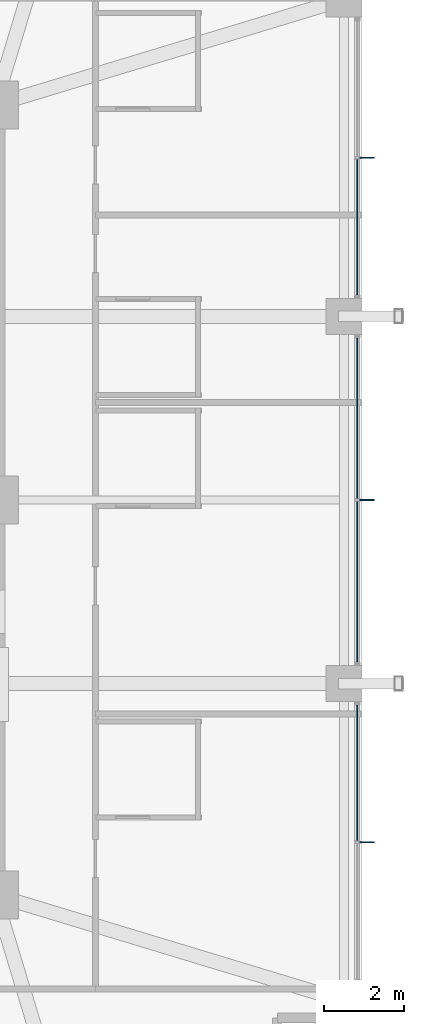
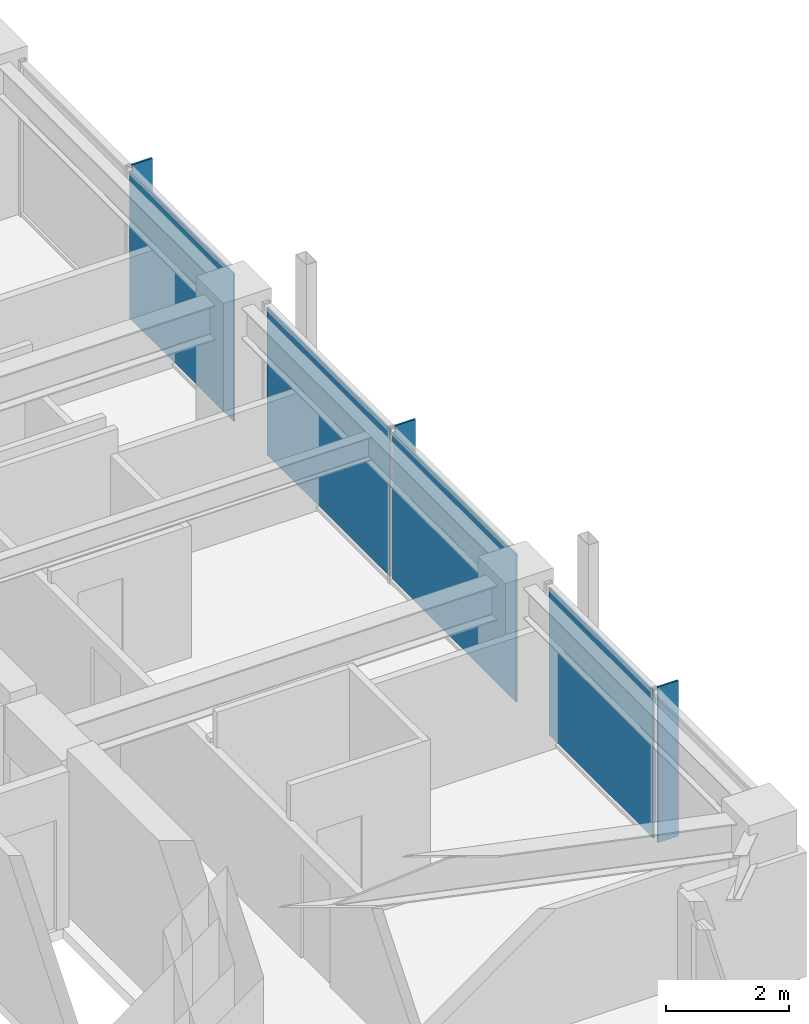
# One storey, part 25 of 34: 7 plates, 3 elements without a shape of their own.
"""IFC4 building model written with IfcOpenShell, lengths in metres."""

from ifc_helpers import new_model, si_unit, direction, frame, origin, origin_2d, place, context, subcontext, project, spatial, rectangle, extrude, material, layer, layer_set, type_object, element, aggregate, save


model = new_model("IFC4")

# Units and contexts
model_context = context("Model", 3, precision=1e-05, world=origin(), true_north=direction((0.0, 1.0)))
body_context = subcontext(model_context, "Body", "Model", "MODEL_VIEW")
ifc_project = project(units=[si_unit("LENGTHUNIT", "METRE"), si_unit("AREAUNIT", "SQUARE_METRE"), si_unit("VOLUMEUNIT", "CUBIC_METRE"), si_unit("PLANEANGLEUNIT", "RADIAN"), si_unit("MASSUNIT", "GRAM", prefix="KILO")], contexts=[model_context])

# Site, building, storey
site_placement = place(None, origin())
site = spatial("IfcSite", under=ifc_project, at=site_placement, CompositionType="ELEMENT")
building_placement = place(site_placement, origin())
building = spatial("IfcBuilding", under=site, at=building_placement, Name="Kolvaren Belvedere", CompositionType="ELEMENT")
storey_placement = place(building_placement, frame((0.0, 0.0, 166.800048828125)))
storey = spatial("IfcBuildingStorey", under=building, at=storey_placement, Name="L48", CompositionType="ELEMENT", Elevation=166.800048828125)

# Curtain wall, plate
ifc_material_1 = material(Name="Anodised pale-metal aluminium AA 6063-T6", Category="aluminium")
curtain_wall_type = type_object("IfcCurtainWallType", Name="CW-Z3-WAIST", PredefinedType="NOTDEFINED", material=ifc_material_1)
curtain_wall_1_placement = place(storey_placement, origin())
curtain_wall_1 = element("IfcCurtainWall", 1, at=curtain_wall_1_placement, inside=storey, type_object=curtain_wall_type, Name="L48 Unitised Curtain Wall FCW-L48-E-B1", PredefinedType="NOTDEFINED")
ifc_material_2 = material(Name="Low-iron triple insulated glass", Category="glass")
ifc_layer_1 = layer(ifc_material_2, 0.028076171875)
ifc_layer_set_1 = layer_set([ifc_layer_1], Name="Low-iron triple insulated glass")
plate_type_1 = type_object("IfcPlateType", Name="CW-PNL-VIS28", PredefinedType="CURTAIN_PANEL", material=ifc_layer_set_1)
plate_1_placement = place(storey_placement, frame((18.97998046875, 6.8388671875, 0.080078125), z_axis=(0.0, 0.0, 1.0), x_axis=(0.0, -1.0, 0.0)))
plate_1 = element("IfcPlate", 2, at=plate_1_placement, type_object=plate_type_1, Name="FCW-L48-E-B1 Vision Glazing Panel 2", PredefinedType="CURTAIN_PANEL", context=body_context, shape_type="SweptSolid", body=[
    extrude(rectangle(XDim=3.392578125, YDim=0.028076171875, at=origin_2d()), origin(), (0.0, 0.0, 1.0), 2.93994140625),
])
aggregate(curtain_wall_1, [plate_1])

# Curtain wall, plates
curtain_wall_2_placement = place(storey_placement, origin())
curtain_wall_2 = element("IfcCurtainWall", 3, at=curtain_wall_2_placement, inside=storey, type_object=curtain_wall_type, Name="L48 Unitised Curtain Wall FCW-L48-E-B2", PredefinedType="NOTDEFINED")
plate_2_placement = place(storey_placement, frame((18.97998046875, 2.048828125, 0.080078125), z_axis=(0.0, 0.0, 1.0), x_axis=(0.0, -1.0, 0.0)))
plate_2 = element("IfcPlate", 4, at=plate_2_placement, type_object=plate_type_1, Name="FCW-L48-E-B2 Vision Glazing Panel 1", PredefinedType="CURTAIN_PANEL", context=body_context, shape_type="SweptSolid", body=[
    extrude(rectangle(XDim=4.017578125, YDim=0.028076171875, at=origin_2d()), origin(), (0.0, 0.0, 1.0), 2.93994140625),
])
plate_3_placement = place(storey_placement, frame((18.97998046875, -2.048828125, 0.080078125), z_axis=(0.0, 0.0, 1.0), x_axis=(0.0, -1.0, 0.0)))
plate_3 = element("IfcPlate", 5, at=plate_3_placement, type_object=plate_type_1, Name="FCW-L48-E-B2 Vision Glazing Panel 2", PredefinedType="CURTAIN_PANEL", context=body_context, shape_type="SweptSolid", body=[
    extrude(rectangle(XDim=4.017578125, YDim=0.028076171875, at=origin_2d()), origin(), (0.0, 0.0, 1.0), 2.93994140625),
])
aggregate(curtain_wall_2, [plate_2, plate_3])

# Curtain wall, plate
curtain_wall_3_placement = place(storey_placement, origin())
curtain_wall_3 = element("IfcCurtainWall", 6, at=curtain_wall_3_placement, inside=storey, type_object=curtain_wall_type, Name="L48 Unitised Curtain Wall FCW-L48-E-B3", PredefinedType="NOTDEFINED")
plate_4_placement = place(storey_placement, frame((18.97998046875, -6.8388671875, 0.080078125), z_axis=(0.0, 0.0, 1.0), x_axis=(0.0, -1.0, 0.0)))
plate_4 = element("IfcPlate", 7, at=plate_4_placement, type_object=plate_type_1, Name="FCW-L48-E-B3 Vision Glazing Panel 1", PredefinedType="CURTAIN_PANEL", context=body_context, shape_type="SweptSolid", body=[
    extrude(rectangle(XDim=3.392578125, YDim=0.028076171875, at=origin_2d()), origin(), (0.0, 0.0, 1.0), 2.93994140625),
])
aggregate(curtain_wall_3, [plate_4])

# Plates
ifc_material_3 = material(Name="Anodised pale-metal aluminium AA 6063-T6", Category="aluminium")
ifc_layer_2 = layer(ifc_material_3, 0.033935546875)
ifc_layer_set_2 = layer_set([ifc_layer_2], Name="Anodised pale-metal aluminium AA 6063-T6")
plate_type_2 = type_object("IfcPlateType", Name="FIN-VERT-380", PredefinedType="USERDEFINED", material=ifc_layer_set_2)
for number, where, z_axis, x_axis, name in (
    (8, (19.219970703125, 8.574951171875, 0.0), (0.0, 0.0, 1.0), (1.0, 0.0, 0.0), "L48 Pale-Metal Vertical Shading Fin FCW-L48-E-B1-1"),
    (9, (19.219970703125, 0.0, 0.0), (0.0, 0.0, 1.0), (1.0, 0.0, 0.0), "L48 Pale-Metal Vertical Shading Fin FCW-L48-E-B2-1"),
    (10, (19.219970703125, -8.574951171875, 0.0), (0.0, 0.0, 1.0), (1.0, 0.0, 0.0), "L48 Pale-Metal Vertical Shading Fin FCW-L48-E-B3-1"),
):
    element("IfcPlate", number, at=place(storey_placement, frame(where, z_axis=z_axis, x_axis=x_axis)), inside=storey, type_object=plate_type_2, Name=name, ObjectType="VERTICAL FIN", PredefinedType="USERDEFINED", context=body_context, shape_type="SweptSolid", body=[
        extrude(rectangle(XDim=0.3798828125, YDim=0.033935546875, at=origin_2d()), origin(), (0.0, 0.0, 1.0), 3.10009765625),
    ])

save(model, "model.ifc")
